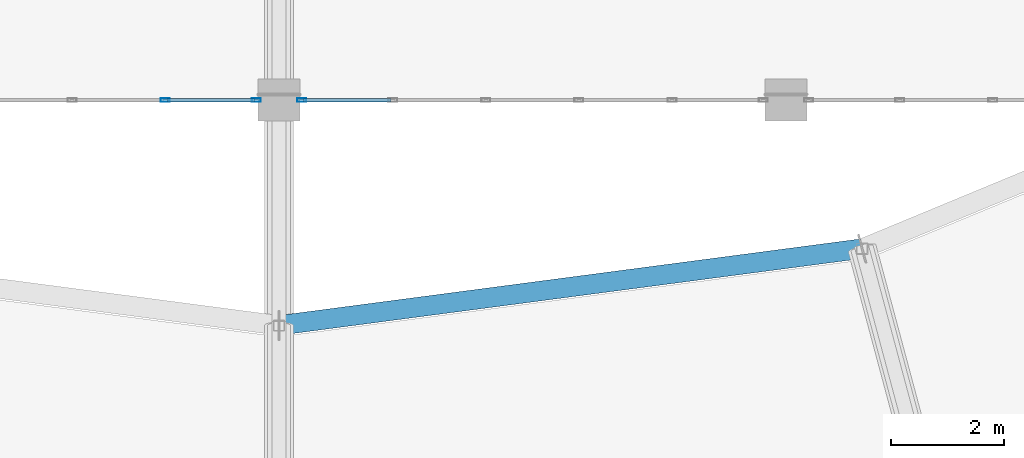
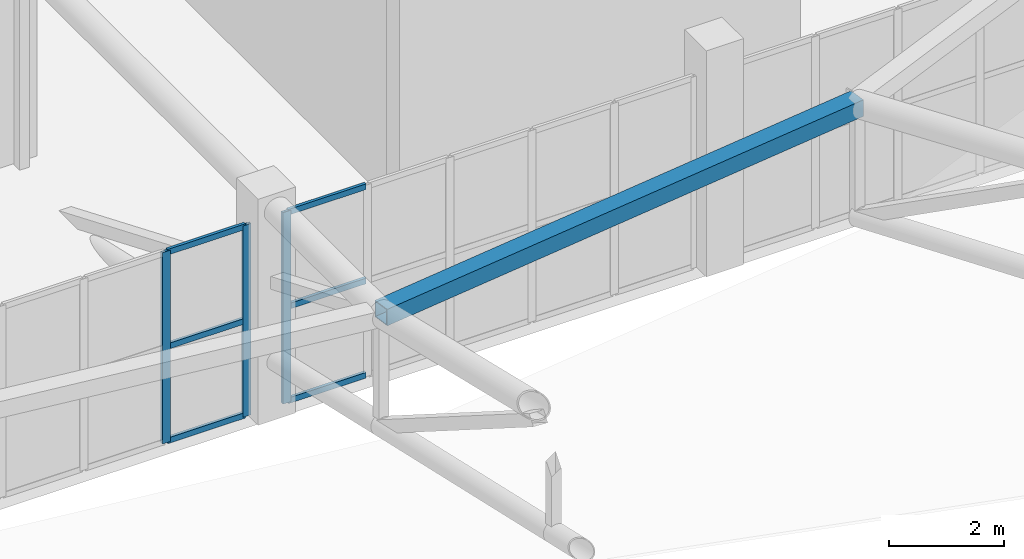
# One storey, part 27 of 167: 10 members, 2 elements without a shape of their own.
"""IFC4 building model written with IfcOpenShell, lengths in metres."""

from ifc_helpers import new_model, si_unit, direction, frame, origin, origin_2d, place, context, subcontext, project, spatial, hollow_rectangle, extrude, material, layer, layer_set, material_profile, profile_set, type_object, element, aggregate, save


model = new_model("IFC4")

# Units and contexts
model_context = context("Model", 3, precision=1e-05, world=origin(), true_north=direction((0.0, 1.0)))
body_context = subcontext(model_context, "Body", "Model", "MODEL_VIEW")
ifc_project = project(units=[si_unit("LENGTHUNIT", "METRE"), si_unit("AREAUNIT", "SQUARE_METRE"), si_unit("VOLUMEUNIT", "CUBIC_METRE"), si_unit("PLANEANGLEUNIT", "RADIAN"), si_unit("MASSUNIT", "GRAM", prefix="KILO")], contexts=[model_context])

# Site, building, storey
site_placement = place(None, origin())
site = spatial("IfcSite", under=ifc_project, at=site_placement, CompositionType="ELEMENT")
building_placement = place(site_placement, origin())
building = spatial("IfcBuilding", under=site, at=building_placement, Name="Dornveld Trade and Exhibition Forum", CompositionType="ELEMENT")
storey_placement = place(building_placement, frame((0.0, 0.0, 16.800048828125)))
storey = spatial("IfcBuildingStorey", under=building, at=storey_placement, Name="L03", CompositionType="ELEMENT", Elevation=16.800048828125)

# Curtain wall, members
ifc_material_1 = material(Name="Dark-bronze anodised aluminium and low-E glass", Category="aluminium")
ifc_layer_1 = layer(ifc_material_1, 0.196044921875)
ifc_layer_set_1 = layer_set([ifc_layer_1], Name="Dark-bronze anodised aluminium and low-E glass")
curtain_wall_type_1 = type_object("IfcCurtainWallType", Name="CW-SYS-18", PredefinedType="USERDEFINED", material=ifc_layer_set_1)
curtain_wall_1_placement = place(storey_placement, origin())
curtain_wall_1 = element("IfcCurtainWall", 1, at=curtain_wall_1_placement, inside=storey, type_object=curtain_wall_type_1, Name="L03 unitised curtain wall 54", ObjectType="UNITISED_CURTAIN_WALL", PredefinedType="USERDEFINED")
ifc_material_2 = material(Name="Dark-bronze anodised aluminium", Category="aluminium")
ifc_material_profile_1 = material_profile(ifc_material_2, hollow_rectangle(XDim=0.06005859375, YDim=0.159912109375, WallThickness=0.00390625, at=origin_2d()), Name="RHS 160x60x4")
ifc_profile_set_1 = profile_set([ifc_material_profile_1], Name="Dark-bronze anodised aluminium")
member_type_1 = type_object("IfcMemberType", Name="CW-MUL-160", PredefinedType="MULLION", material=ifc_profile_set_1)
member_1_placement = place(storey_placement, frame((114.977294921875, 45.0, -0.004150390625), z_axis=(0.0, 0.0, 1.0), x_axis=(0.0, 1.0, 0.0)))
member_1 = element("IfcMember", 2, at=member_1_placement, type_object=member_type_1, Name="CW-18 mullion 5", PredefinedType="MULLION", context=body_context, shape_type="SweptSolid", body=[
    extrude(hollow_rectangle(XDim=0.06005859375, YDim=0.159912109375, WallThickness=0.00390625, at=origin_2d()), origin(), (0.0, 0.0, 1.0), 4.064208984375),
])
member_2_placement = place(storey_placement, frame((116.59912109375, 45.0, -0.004150390625), z_axis=(0.0, 0.0, 1.0), x_axis=(0.0, 1.0, 0.0)))
member_2 = element("IfcMember", 3, at=member_2_placement, type_object=member_type_1, Name="CW-18 mullion 6", PredefinedType="MULLION", context=body_context, shape_type="SweptSolid", body=[
    extrude(hollow_rectangle(XDim=0.06005859375, YDim=0.159912109375, WallThickness=0.00390625, at=origin_2d()), origin(), (0.0, 0.0, 1.0), 4.064208984375),
])

# Curtain wall, member
ifc_material_3 = material(Name="Dark-bronze anodised aluminium and low-E glass", Category="aluminium")
ifc_layer_2 = layer(ifc_material_3, 0.14501953125)
ifc_layer_set_2 = layer_set([ifc_layer_2], Name="Dark-bronze anodised aluminium and low-E glass")
curtain_wall_type_2 = type_object("IfcCurtainWallType", Name="CW-SYS-01", PredefinedType="USERDEFINED", material=ifc_layer_set_2)
curtain_wall_2_placement = place(storey_placement, origin())
curtain_wall_2 = element("IfcCurtainWall", 4, at=curtain_wall_2_placement, inside=storey, type_object=curtain_wall_type_2, Name="L03 unitised curtain wall 55", ObjectType="UNITISED_CURTAIN_WALL", PredefinedType="USERDEFINED")
member_3_placement = place(storey_placement, frame((117.40087890625, 45.0, -0.004150390625), z_axis=(0.0, 0.0, 1.0), x_axis=(0.0, 1.0, 0.0)))
member_3 = element("IfcMember", 5, at=member_3_placement, type_object=member_type_1, Name="CW-01 mullion 1", PredefinedType="MULLION", context=body_context, shape_type="SweptSolid", body=[
    extrude(hollow_rectangle(XDim=0.06005859375, YDim=0.159912109375, WallThickness=0.00390625, at=origin_2d()), origin(), (0.0, 0.0, 1.0), 4.064208984375),
])

# Member
ifc_material_4 = material(Name="Dark-bronze anodised aluminium", Category="aluminium")
ifc_material_profile_2 = material_profile(ifc_material_4, hollow_rectangle(XDim=0.06005859375, YDim=0.1201171875, WallThickness=0.00390625, at=origin_2d()), Name="RHS 120x60x4")
ifc_profile_set_2 = profile_set([ifc_material_profile_2], Name="Dark-bronze anodised aluminium")
member_type_2 = type_object("IfcMemberType", Name="CW-TRN-120", PredefinedType="USERDEFINED", material=ifc_profile_set_2)
member_4_placement = place(storey_placement, frame((115.00732421875, 45.0, 0.02587890625), z_axis=(1.0, 0.0, 0.0), x_axis=(0.0, 1.0, 0.0)))
member_4 = element("IfcMember", 6, at=member_4_placement, type_object=member_type_2, Name="CW-18 transom 5.1", ObjectType="TRANSOM", PredefinedType="USERDEFINED", context=body_context, shape_type="SweptSolid", body=[
    extrude(hollow_rectangle(XDim=0.06005859375, YDim=0.1201171875, WallThickness=0.00390625, at=origin_2d()), origin(), (0.0, 0.0, 1.0), 1.561767578125),
])

member_5_placement = place(storey_placement, frame((115.00732421875, 45.0, 2.02783203125), z_axis=(1.0, 0.0, 0.0), x_axis=(0.0, 1.0, 0.0)))
member_5 = element("IfcMember", 7, at=member_5_placement, type_object=member_type_2, Name="CW-18 transom 5.2", ObjectType="TRANSOM", PredefinedType="USERDEFINED", context=body_context, shape_type="SweptSolid", body=[
    extrude(hollow_rectangle(XDim=0.06005859375, YDim=0.1201171875, WallThickness=0.00390625, at=origin_2d()), origin(), (0.0, 0.0, 1.0), 1.561767578125),
])

member_6_placement = place(storey_placement, frame((115.00732421875, 45.0, 4.030029296875), z_axis=(1.0, 0.0, 0.0), x_axis=(0.0, 1.0, 0.0)))
member_6 = element("IfcMember", 8, at=member_6_placement, type_object=member_type_2, Name="CW-18 transom 5.3", ObjectType="TRANSOM", PredefinedType="USERDEFINED", context=body_context, shape_type="SweptSolid", body=[
    extrude(hollow_rectangle(XDim=0.06005859375, YDim=0.1201171875, WallThickness=0.00390625, at=origin_2d()), origin(), (0.0, 0.0, 1.0), 1.561767578125),
])

aggregate(curtain_wall_1, [member_1, member_2, member_4, member_5, member_6])

member_7_placement = place(storey_placement, frame((117.430908203125, 45.0, 0.02587890625), z_axis=(1.0, 0.0, 0.0), x_axis=(0.0, 1.0, 0.0)))
member_7 = element("IfcMember", 9, at=member_7_placement, type_object=member_type_2, Name="CW-01 transom 1.1", ObjectType="TRANSOM", PredefinedType="USERDEFINED", context=body_context, shape_type="SweptSolid", body=[
    extrude(hollow_rectangle(XDim=0.06005859375, YDim=0.1201171875, WallThickness=0.00390625, at=origin_2d()), origin(), (0.0, 0.0, 1.0), 1.561767578125),
])

member_8_placement = place(storey_placement, frame((117.430908203125, 45.0, 2.02783203125), z_axis=(1.0, 0.0, 0.0), x_axis=(0.0, 1.0, 0.0)))
member_8 = element("IfcMember", 10, at=member_8_placement, type_object=member_type_2, Name="CW-01 transom 1.2", ObjectType="TRANSOM", PredefinedType="USERDEFINED", context=body_context, shape_type="SweptSolid", body=[
    extrude(hollow_rectangle(XDim=0.06005859375, YDim=0.1201171875, WallThickness=0.00390625, at=origin_2d()), origin(), (0.0, 0.0, 1.0), 1.561767578125),
])

member_9_placement = place(storey_placement, frame((117.430908203125, 45.0, 4.030029296875), z_axis=(1.0, 0.0, 0.0), x_axis=(0.0, 1.0, 0.0)))
member_9 = element("IfcMember", 11, at=member_9_placement, type_object=member_type_2, Name="CW-01 transom 1.3", ObjectType="TRANSOM", PredefinedType="USERDEFINED", context=body_context, shape_type="SweptSolid", body=[
    extrude(hollow_rectangle(XDim=0.06005859375, YDim=0.1201171875, WallThickness=0.00390625, at=origin_2d()), origin(), (0.0, 0.0, 1.0), 1.561767578125),
])

aggregate(curtain_wall_2, [member_3, member_7, member_8, member_9])

ifc_material_5 = material(Name="Steel S355J2", Category="steel")
ifc_material_profile_3 = material_profile(ifc_material_5, hollow_rectangle(XDim=0.35009765625, YDim=0.35009765625, WallThickness=0.01611328125, at=origin_2d()), Name="SHS 350x350x16")
ifc_profile_set_3 = profile_set([ifc_material_profile_3], Name="Steel S355J2")
member_type_3 = type_object("IfcMemberType", Name="MEM-DISC-RING", PredefinedType="CHORD", material=ifc_profile_set_3)
member_10_placement = place(storey_placement, frame((117.0, 41.0, 4.449951171875), z_axis=(0.991444026761, 0.130532531574, 0.0), x_axis=(-0.130532531574, 0.991444026761, 0.0)))
element("IfcMember", 12, at=member_10_placement, inside=storey, type_object=member_type_3, Name="Roof disc ring 3 chord 19", PredefinedType="CHORD", context=body_context, shape_type="SweptSolid", body=[
    extrude(hollow_rectangle(XDim=0.35009765625, YDim=0.35009765625, WallThickness=0.01611328125, at=origin_2d()), origin(), (0.0, 0.0, 1.0), 10.442138671875),
])

save(model, "model.ifc")
